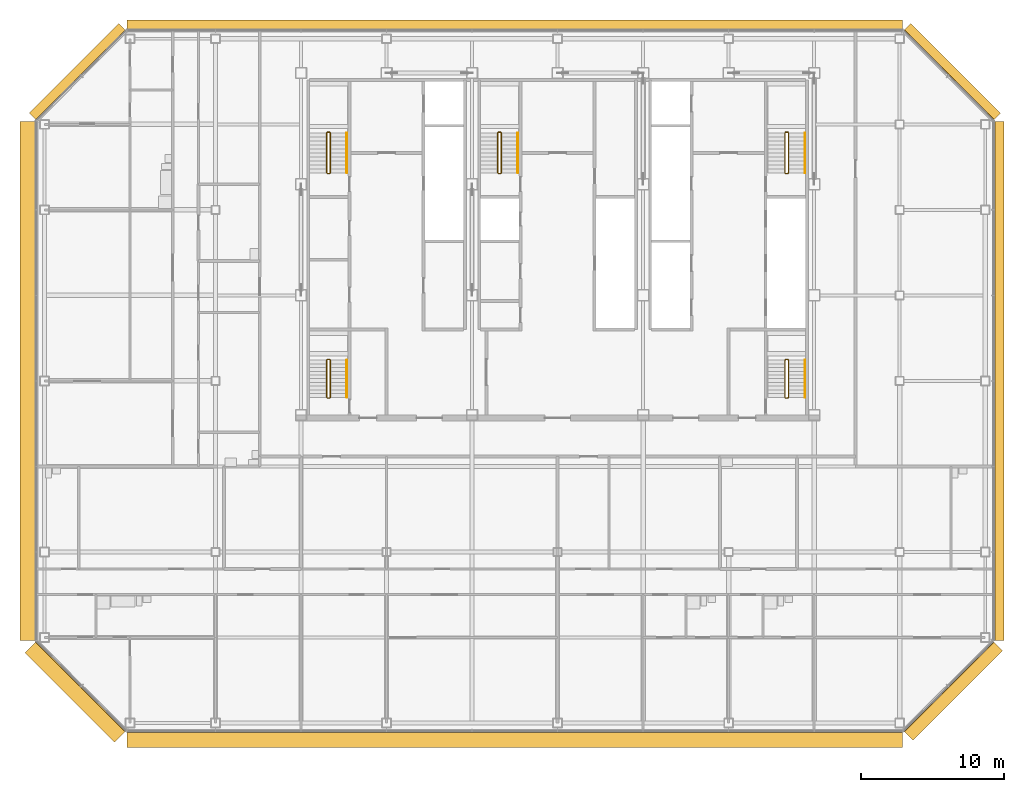
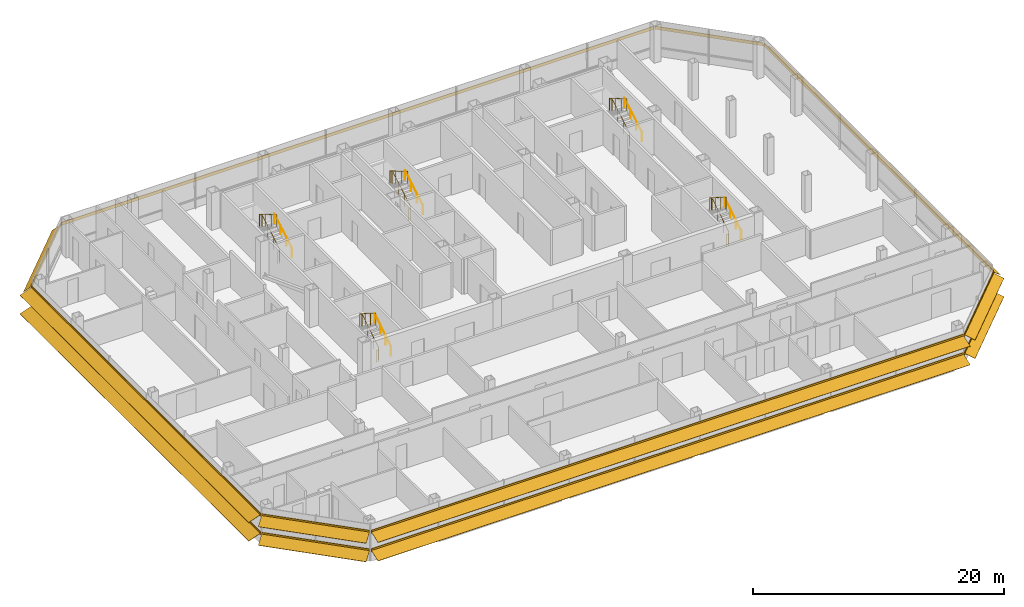
# One storey, part 25 of 26: 10 railings, 8 shading devices.
"""IFC4 building model written with IfcOpenShell, lengths in metres."""

from ifc_helpers import new_model, si_unit, direction, frame, origin, origin_2d, place, context, subcontext, project, spatial, polyline, circle, outline, composite_profile, extrude, material, type_object, element, save


model = new_model("IFC4")

# Units and contexts
model_context = context("Model", 3, precision=1e-05, world=origin(), true_north=direction((0.0, 1.0)))
body_context = subcontext(model_context, "Body", "Model", "MODEL_VIEW")
ifc_project = project(units=[si_unit("LENGTHUNIT", "METRE"), si_unit("AREAUNIT", "SQUARE_METRE"), si_unit("VOLUMEUNIT", "CUBIC_METRE"), si_unit("PLANEANGLEUNIT", "RADIAN"), si_unit("MASSUNIT", "GRAM", prefix="KILO")], contexts=[model_context])

# Site, building, storey
site_placement = place(None, origin())
site = spatial("IfcSite", under=ifc_project, at=site_placement, CompositionType="ELEMENT")
building_placement = place(site_placement, origin())
building = spatial("IfcBuilding", under=site, at=building_placement, Name="Sorahane Residences", CompositionType="ELEMENT")
storey_placement = place(building_placement, frame((0.0, 0.0, 243.199951171875)))
storey = spatial("IfcBuildingStorey", under=building, at=storey_placement, Name="L57", CompositionType="ELEMENT", Elevation=243.199951171875)

# Shading devices
ifc_material_1 = material(Name="Terracotta anodised aluminium", Category="masonry")
shading_device_type_1 = type_object("IfcShadingDeviceType", Name="Louvre sunshade blade E terracotta aluminium 700", PredefinedType="JALOUSIE", material=ifc_material_1)
shading_device_1_placement = place(storey_placement, frame((54.60009765625, 5.801513671875, 2.699951171875), z_axis=(0.0, 1.0, 0.0), x_axis=(-1.0, 0.0, 0.0)))
element("IfcShadingDevice", 1, at=shading_device_1_placement, inside=storey, type_object=shading_device_type_1, Name="Louvre sunshade blade bank E L57 E1", PredefinedType="JALOUSIE", context=body_context, shape_type="SweptSolid", body=[
    extrude(outline(polyline([(-0.719970703125, -0.49365234375), (-0.719970703125, -0.523681640625), (-0.080078125, -0.05859375), (-0.080078125, -0.14990234375), (-0.02001953125, -0.14990234375), (-0.02001953125, -0.014892578125), (-0.02001953125, 0.014892578125), (-0.02001953125, 0.14990234375), (-0.080078125, 0.14990234375), (-0.080078125, -0.028564453125), (-0.719970703125, -0.49365234375)])), origin(), (0.0, 0.0, 1.0), 36.39697265625),
])
ifc_material_2 = material(Name="Terracotta anodised aluminium", Category="masonry")
shading_device_type_2 = type_object("IfcShadingDeviceType", Name="Louvre sunshade blade N terracotta aluminium 700", PredefinedType="JALOUSIE", material=ifc_material_2)
shading_device_2_placement = place(storey_placement, frame((48.198486328125, 48.60009765625, 2.699951171875), z_axis=(-1.0, 0.0, 0.0), x_axis=(0.0, -1.0, 0.0)))
element("IfcShadingDevice", 2, at=shading_device_2_placement, inside=storey, type_object=shading_device_type_2, Name="Louvre sunshade blade bank N L57 N1", PredefinedType="JALOUSIE", context=body_context, shape_type="SweptSolid", body=[
    extrude(outline(polyline([(-0.719970703125, -0.660888671875), (-0.719970703125, -0.69091796875), (-0.080078125, -0.072998046875), (-0.080078125, -0.14990234375), (-0.02001953125, -0.14990234375), (-0.02001953125, -0.014892578125), (-0.02001953125, 0.014892578125), (-0.02001953125, 0.14990234375), (-0.080078125, 0.14990234375), (-0.080078125, -0.04296875), (-0.719970703125, -0.660888671875)])), origin(), (0.0, 0.0, 1.0), 54.39697265625),
])
ifc_material_3 = material(Name="Terracotta anodised aluminium", Category="masonry")
shading_device_type_3 = type_object("IfcShadingDeviceType", Name="Louvre sunshade blade NE terracotta aluminium 700", PredefinedType="JALOUSIE", material=ifc_material_3)
shading_device_3_placement = place(storey_placement, frame((54.564697265625, 42.283935546875, 2.699951171875), z_axis=(-0.707106781187, 0.707106781187, 0.0), x_axis=(-0.707106781187, -0.707106781187, 0.0)))
element("IfcShadingDevice", 3, at=shading_device_3_placement, inside=storey, type_object=shading_device_type_3, Name="Louvre sunshade blade bank NE L57 NE1", PredefinedType="JALOUSIE", context=body_context, shape_type="SweptSolid", body=[
    extrude(outline(polyline([(-0.719970703125, -0.572509765625), (-0.719970703125, -0.602294921875), (-0.080078125, -0.065185546875), (-0.080078125, -0.14990234375), (-0.02001953125, -0.14990234375), (-0.02001953125, -0.014892578125), (-0.02001953125, 0.014892578125), (-0.02001953125, 0.14990234375), (-0.080078125, 0.14990234375), (-0.080078125, -0.035400390625), (-0.719970703125, -0.572509765625)])), origin(), (0.0, 0.0, 1.0), 8.88232421875),
])
ifc_material_4 = material(Name="Terracotta anodised aluminium", Category="masonry")
shading_device_type_4 = type_object("IfcShadingDeviceType", Name="Louvre sunshade blade NW terracotta aluminium 700", PredefinedType="JALOUSIE", material=ifc_material_4)
shading_device_4_placement = place(storey_placement, frame((-6.283935546875, 48.564697265625, 2.699951171875), z_axis=(-0.707106781187, -0.707106781187, 0.0), x_axis=(0.707106781187, -0.707106781187, 0.0)))
element("IfcShadingDevice", 4, at=shading_device_4_placement, inside=storey, type_object=shading_device_type_4, Name="Louvre sunshade blade bank NW L57 NW1", PredefinedType="JALOUSIE", context=body_context, shape_type="SweptSolid", body=[
    extrude(outline(polyline([(-0.719970703125, -0.660888671875), (-0.719970703125, -0.69091796875), (-0.080078125, -0.072998046875), (-0.080078125, -0.14990234375), (-0.02001953125, -0.14990234375), (-0.02001953125, -0.014892578125), (-0.02001953125, 0.014892578125), (-0.02001953125, 0.14990234375), (-0.080078125, 0.14990234375), (-0.080078125, -0.04296875), (-0.719970703125, -0.660888671875)])), origin(), (0.0, 0.0, 1.0), 8.88232421875),
])
ifc_material_5 = material(Name="Terracotta anodised aluminium", Category="masonry")
shading_device_type_5 = type_object("IfcShadingDeviceType", Name="Louvre sunshade blade S terracotta aluminium 1100", PredefinedType="JALOUSIE", material=ifc_material_5)
shading_device_5_placement = place(storey_placement, frame((-6.198486328125, -0.60009765625, 0.900146484375), z_axis=(1.0, 0.0, 0.0), x_axis=(0.0, 1.0, 0.0)))
element("IfcShadingDevice", 5, at=shading_device_5_placement, inside=storey, type_object=shading_device_type_5, Name="Louvre sunshade blade bank S L57 S1", PredefinedType="JALOUSIE", context=body_context, shape_type="SweptSolid", body=[
    extrude(composite_profile([outline(polyline([(-1.1201171875, -0.385498046875), (-1.1201171875, -0.415283203125), (-0.080078125, -0.036865234375), (-0.080078125, -0.14990234375), (-0.02001953125, -0.14990234375), (-0.02001953125, -0.014892578125), (-0.02001953125, 0.014892578125), (-0.02001953125, 0.14990234375), (-0.080078125, 0.14990234375), (-0.080078125, -0.0068359375), (-1.1201171875, -0.385498046875)])), outline(polyline([(-1.1201171875, 1.41455078125), (-1.1201171875, 1.384521484375), (-0.080078125, 1.76318359375), (-0.080078125, 1.64990234375), (-0.02001953125, 1.64990234375), (-0.02001953125, 1.784912109375), (-0.02001953125, 1.81494140625), (-0.02001953125, 1.949951171875), (-0.080078125, 1.949951171875), (-0.080078125, 1.793212890625), (-1.1201171875, 1.41455078125)]))]), origin(), (0.0, 0.0, 1.0), 54.39697265625),
])
ifc_material_6 = material(Name="Terracotta anodised aluminium", Category="masonry")
shading_device_type_6 = type_object("IfcShadingDeviceType", Name="Louvre sunshade blade SE terracotta aluminium 900", PredefinedType="JALOUSIE", material=ifc_material_6)
shading_device_6_placement = place(storey_placement, frame((48.283935546875, -0.564697265625, 0.900146484375), z_axis=(0.707106781187, 0.707106781187, 0.0), x_axis=(-0.707106781187, 0.707106781187, 0.0)))
element("IfcShadingDevice", 6, at=shading_device_6_placement, inside=storey, type_object=shading_device_type_6, Name="Louvre sunshade blade bank SE L57 SE1", PredefinedType="JALOUSIE", context=body_context, shape_type="SweptSolid", body=[
    extrude(composite_profile([outline(polyline([(-0.919921875, -0.3486328125), (-0.919921875, -0.378662109375), (-0.080078125, -0.039306640625), (-0.080078125, -0.14990234375), (-0.02001953125, -0.14990234375), (-0.02001953125, -0.014892578125), (-0.02001953125, 0.014892578125), (-0.02001953125, 0.14990234375), (-0.080078125, 0.14990234375), (-0.080078125, -0.00927734375), (-0.919921875, -0.3486328125)])), outline(polyline([(-0.919921875, 1.451416015625), (-0.919921875, 1.42138671875), (-0.080078125, 1.7607421875), (-0.080078125, 1.64990234375), (-0.02001953125, 1.64990234375), (-0.02001953125, 1.784912109375), (-0.02001953125, 1.81494140625), (-0.02001953125, 1.949951171875), (-0.080078125, 1.949951171875), (-0.080078125, 1.790771484375), (-0.919921875, 1.451416015625)]))]), origin(), (0.0, 0.0, 1.0), 8.88232421875),
])
ifc_material_7 = material(Name="Terracotta anodised aluminium", Category="masonry")
shading_device_type_7 = type_object("IfcShadingDeviceType", Name="Louvre sunshade blade SW terracotta aluminium 1100", PredefinedType="JALOUSIE", material=ifc_material_7)
shading_device_7_placement = place(storey_placement, frame((-12.564697265625, 5.716064453125, 0.900146484375), z_axis=(0.707106781187, -0.707106781187, 0.0), x_axis=(0.707106781187, 0.707106781187, 0.0)))
element("IfcShadingDevice", 7, at=shading_device_7_placement, inside=storey, type_object=shading_device_type_7, Name="Louvre sunshade blade bank SW L57 SW1", PredefinedType="JALOUSIE", context=body_context, shape_type="SweptSolid", body=[
    extrude(composite_profile([outline(polyline([(-1.1201171875, -0.385498046875), (-1.1201171875, -0.415283203125), (-0.080078125, -0.036865234375), (-0.080078125, -0.14990234375), (-0.02001953125, -0.14990234375), (-0.02001953125, -0.014892578125), (-0.02001953125, 0.014892578125), (-0.02001953125, 0.14990234375), (-0.080078125, 0.14990234375), (-0.080078125, -0.0068359375), (-1.1201171875, -0.385498046875)])), outline(polyline([(-1.1201171875, 1.41455078125), (-1.1201171875, 1.384521484375), (-0.080078125, 1.76318359375), (-0.080078125, 1.64990234375), (-0.02001953125, 1.64990234375), (-0.02001953125, 1.784912109375), (-0.02001953125, 1.81494140625), (-0.02001953125, 1.949951171875), (-0.080078125, 1.949951171875), (-0.080078125, 1.793212890625), (-1.1201171875, 1.41455078125)]))]), origin(), (0.0, 0.0, 1.0), 8.88232421875),
])
ifc_material_8 = material(Name="Terracotta anodised aluminium", Category="masonry")
shading_device_type_8 = type_object("IfcShadingDeviceType", Name="Louvre sunshade blade W terracotta aluminium 1100", PredefinedType="JALOUSIE", material=ifc_material_8)
shading_device_8_placement = place(storey_placement, frame((-12.60009765625, 42.198486328125, 0.900146484375), z_axis=(0.0, -1.0, 0.0), x_axis=(1.0, 0.0, 0.0)))
element("IfcShadingDevice", 8, at=shading_device_8_placement, inside=storey, type_object=shading_device_type_8, Name="Louvre sunshade blade bank W L57 W1", PredefinedType="JALOUSIE", context=body_context, shape_type="SweptSolid", body=[
    extrude(composite_profile([outline(polyline([(-1.1201171875, -0.385498046875), (-1.1201171875, -0.415283203125), (-0.080078125, -0.036865234375), (-0.080078125, -0.14990234375), (-0.02001953125, -0.14990234375), (-0.02001953125, -0.014892578125), (-0.02001953125, 0.014892578125), (-0.02001953125, 0.14990234375), (-0.080078125, 0.14990234375), (-0.080078125, -0.0068359375), (-1.1201171875, -0.385498046875)])), outline(polyline([(-1.1201171875, 1.41455078125), (-1.1201171875, 1.384521484375), (-0.080078125, 1.76318359375), (-0.080078125, 1.64990234375), (-0.02001953125, 1.64990234375), (-0.02001953125, 1.784912109375), (-0.02001953125, 1.81494140625), (-0.02001953125, 1.949951171875), (-0.080078125, 1.949951171875), (-0.080078125, 1.793212890625), (-1.1201171875, 1.41455078125)]))]), origin(), (0.0, 0.0, 1.0), 36.39697265625),
])

# Railings
ifc_material_9 = material(Name="Steel Q355B", Category="steel")
railing_type_1 = type_object("IfcRailingType", Name="Stair guard 1200 Steel Q355B", PredefinedType="GUARDRAIL", material=ifc_material_9)
railing_1_placement = place(storey_placement, frame((7.85009765625, 38.550048828125, 0.0)))
element("IfcRailing", 9, at=railing_1_placement, inside=storey, type_object=railing_type_1, Name="L57 S1 stair guard 1", PredefinedType="GUARDRAIL", context=body_context, shape_type="SweptSolid", body=[
    extrude(circle(Radius=0.02392578125, at=origin_2d()), frame((0.0, 0.0, 1.17578125), z_axis=(1.0, 0.0, 0.0), x_axis=(0.0, 1.0, 0.0)), (0.0, 0.0, 1.0), 0.14990234375),
    extrude(circle(Radius=0.02392578125, at=origin_2d()), frame((0.14990234375, 0.0, 1.17578125), z_axis=(0.280808744504, 0.280808744504, 0.917765164963), x_axis=(-0.707106781187, 0.707106781187, 0.0)), (0.0, 0.0, 1.0), 0.17822265625),
    extrude(circle(Radius=0.02392578125, at=origin_2d()), frame((0.199951171875, 0.050048828125, 1.33935546875), z_axis=(0.0, 0.863341702679, 0.504619762213), x_axis=(-1.0, 0.0, 0.0)), (0.0, 0.0, 1.0), 3.242919921875),
    extrude(circle(Radius=0.02392578125, at=origin_2d()), frame((0.199951171875, 2.849853515625, 2.97607421875), z_axis=(-0.707106781187, 0.707106781187, 0.0), x_axis=(-0.707106781187, -0.707106781187, 0.0)), (0.0, 0.0, 1.0), 0.07080078125),
    extrude(circle(Radius=0.02392578125, at=origin_2d()), frame((0.14990234375, 2.89990234375, 2.97607421875), z_axis=(-1.0, 0.0, 0.0), x_axis=(0.0, -1.0, 0.0)), (0.0, 0.0, 1.0), 0.14990234375),
    extrude(circle(Radius=0.02392578125, at=origin_2d()), frame((0.0, 2.89990234375, 2.97607421875), z_axis=(-0.280808744504, -0.280808744504, 0.917765164963), x_axis=(0.707106781187, -0.707106781187, 0.0)), (0.0, 0.0, 1.0), 0.17822265625),
    extrude(circle(Radius=0.02392578125, at=origin_2d()), frame((-0.050048828125, 2.849853515625, 3.1396484375), z_axis=(0.0, -0.863341702679, 0.504619762213), x_axis=(1.0, 0.0, 0.0)), (0.0, 0.0, 1.0), 3.242919921875),
    extrude(circle(Radius=0.02099609375, at=origin_2d()), origin(), (0.0, 0.0, 1.0), 1.15185546875),
    extrude(circle(Radius=0.02099609375, at=origin_2d()), frame((0.14990234375, 0.0, 0.0)), (0.0, 0.0, 1.0), 1.15185546875),
    extrude(circle(Radius=0.02099609375, at=origin_2d()), frame((0.199951171875, 0.050048828125, 0.16357421875)), (0.0, 0.0, 1.0), 1.15185546875),
    extrude(circle(Radius=0.02099609375, at=origin_2d()), frame((0.199951171875, 0.9833984375, 0.708984375)), (0.0, 0.0, 1.0), 1.15185546875),
    extrude(circle(Radius=0.02099609375, at=origin_2d()), frame((0.199951171875, 1.91650390625, 1.254638671875)), (0.0, 0.0, 1.0), 1.15185546875),
    extrude(circle(Radius=0.02099609375, at=origin_2d()), frame((0.199951171875, 2.849853515625, 1.800048828125)), (0.0, 0.0, 1.0), 1.15185546875),
    extrude(circle(Radius=0.02099609375, at=origin_2d()), frame((0.14990234375, 2.89990234375, 1.800048828125)), (0.0, 0.0, 1.0), 1.15185546875),
    extrude(circle(Radius=0.02099609375, at=origin_2d()), frame((0.0, 2.89990234375, 1.800048828125)), (0.0, 0.0, 1.0), 1.15185546875),
    extrude(circle(Radius=0.02099609375, at=origin_2d()), frame((-0.050048828125, 2.849853515625, 1.963623046875)), (0.0, 0.0, 1.0), 1.15185546875),
    extrude(circle(Radius=0.02099609375, at=origin_2d()), frame((-0.050048828125, 1.91650390625, 2.509033203125)), (0.0, 0.0, 1.0), 1.15185546875),
    extrude(circle(Radius=0.02099609375, at=origin_2d()), frame((-0.050048828125, 0.9833984375, 3.0546875)), (0.0, 0.0, 1.0), 1.15185546875),
    extrude(circle(Radius=0.02099609375, at=origin_2d()), frame((-0.050048828125, 0.050048828125, 3.60009765625)), (0.0, 0.0, 1.0), 1.15185546875),
])
railing_2_placement = place(storey_placement, frame((40.0, 38.550048828125, 0.0)))
element("IfcRailing", 10, at=railing_2_placement, inside=storey, type_object=railing_type_1, Name="L57 S2 stair guard 1", PredefinedType="GUARDRAIL", context=body_context, shape_type="SweptSolid", body=[
    extrude(circle(Radius=0.02392578125, at=origin_2d()), frame((0.0, 0.0, 1.17578125), z_axis=(1.0, 0.0, 0.0), x_axis=(0.0, 1.0, 0.0)), (0.0, 0.0, 1.0), 0.14990234375),
    extrude(circle(Radius=0.02392578125, at=origin_2d()), frame((0.14990234375, 0.0, 1.17578125), z_axis=(0.280808744504, 0.280808744504, 0.917765164963), x_axis=(-0.707106781187, 0.707106781187, 0.0)), (0.0, 0.0, 1.0), 0.17822265625),
    extrude(circle(Radius=0.02392578125, at=origin_2d()), frame((0.199951171875, 0.050048828125, 1.33935546875), z_axis=(0.0, 0.863341702679, 0.504619762213), x_axis=(-1.0, 0.0, 0.0)), (0.0, 0.0, 1.0), 3.242919921875),
    extrude(circle(Radius=0.02392578125, at=origin_2d()), frame((0.199951171875, 2.849853515625, 2.97607421875), z_axis=(-0.707106781187, 0.707106781187, 0.0), x_axis=(-0.707106781187, -0.707106781187, 0.0)), (0.0, 0.0, 1.0), 0.07080078125),
    extrude(circle(Radius=0.02392578125, at=origin_2d()), frame((0.14990234375, 2.89990234375, 2.97607421875), z_axis=(-1.0, 0.0, 0.0), x_axis=(0.0, -1.0, 0.0)), (0.0, 0.0, 1.0), 0.14990234375),
    extrude(circle(Radius=0.02392578125, at=origin_2d()), frame((0.0, 2.89990234375, 2.97607421875), z_axis=(-0.280808744504, -0.280808744504, 0.917765164963), x_axis=(0.707106781187, -0.707106781187, 0.0)), (0.0, 0.0, 1.0), 0.17822265625),
    extrude(circle(Radius=0.02392578125, at=origin_2d()), frame((-0.050048828125, 2.849853515625, 3.1396484375), z_axis=(0.0, -0.863341702679, 0.504619762213), x_axis=(1.0, 0.0, 0.0)), (0.0, 0.0, 1.0), 3.242919921875),
    extrude(circle(Radius=0.02099609375, at=origin_2d()), origin(), (0.0, 0.0, 1.0), 1.15185546875),
    extrude(circle(Radius=0.02099609375, at=origin_2d()), frame((0.14990234375, 0.0, 0.0)), (0.0, 0.0, 1.0), 1.15185546875),
    extrude(circle(Radius=0.02099609375, at=origin_2d()), frame((0.199951171875, 0.050048828125, 0.16357421875)), (0.0, 0.0, 1.0), 1.15185546875),
    extrude(circle(Radius=0.02099609375, at=origin_2d()), frame((0.199951171875, 0.9833984375, 0.708984375)), (0.0, 0.0, 1.0), 1.15185546875),
    extrude(circle(Radius=0.02099609375, at=origin_2d()), frame((0.199951171875, 1.91650390625, 1.254638671875)), (0.0, 0.0, 1.0), 1.15185546875),
    extrude(circle(Radius=0.02099609375, at=origin_2d()), frame((0.199951171875, 2.849853515625, 1.800048828125)), (0.0, 0.0, 1.0), 1.15185546875),
    extrude(circle(Radius=0.02099609375, at=origin_2d()), frame((0.14990234375, 2.89990234375, 1.800048828125)), (0.0, 0.0, 1.0), 1.15185546875),
    extrude(circle(Radius=0.02099609375, at=origin_2d()), frame((0.0, 2.89990234375, 1.800048828125)), (0.0, 0.0, 1.0), 1.15185546875),
    extrude(circle(Radius=0.02099609375, at=origin_2d()), frame((-0.050048828125, 2.849853515625, 1.963623046875)), (0.0, 0.0, 1.0), 1.15185546875),
    extrude(circle(Radius=0.02099609375, at=origin_2d()), frame((-0.050048828125, 1.91650390625, 2.509033203125)), (0.0, 0.0, 1.0), 1.15185546875),
    extrude(circle(Radius=0.02099609375, at=origin_2d()), frame((-0.050048828125, 0.9833984375, 3.0546875)), (0.0, 0.0, 1.0), 1.15185546875),
    extrude(circle(Radius=0.02099609375, at=origin_2d()), frame((-0.050048828125, 0.050048828125, 3.60009765625)), (0.0, 0.0, 1.0), 1.15185546875),
])
railing_3_placement = place(storey_placement, frame((19.85009765625, 38.550048828125, 0.0)))
element("IfcRailing", 11, at=railing_3_placement, inside=storey, type_object=railing_type_1, Name="L57 S3 stair guard 1", PredefinedType="GUARDRAIL", context=body_context, shape_type="SweptSolid", body=[
    extrude(circle(Radius=0.02392578125, at=origin_2d()), frame((0.0, 0.0, 1.17578125), z_axis=(1.0, 0.0, 0.0), x_axis=(0.0, 1.0, 0.0)), (0.0, 0.0, 1.0), 0.14990234375),
    extrude(circle(Radius=0.02392578125, at=origin_2d()), frame((0.14990234375, 0.0, 1.17578125), z_axis=(0.280808744504, 0.280808744504, 0.917765164963), x_axis=(-0.707106781187, 0.707106781187, 0.0)), (0.0, 0.0, 1.0), 0.17822265625),
    extrude(circle(Radius=0.02392578125, at=origin_2d()), frame((0.199951171875, 0.050048828125, 1.33935546875), z_axis=(0.0, 0.863341702679, 0.504619762213), x_axis=(-1.0, 0.0, 0.0)), (0.0, 0.0, 1.0), 3.242919921875),
    extrude(circle(Radius=0.02392578125, at=origin_2d()), frame((0.199951171875, 2.849853515625, 2.97607421875), z_axis=(-0.707106781187, 0.707106781187, 0.0), x_axis=(-0.707106781187, -0.707106781187, 0.0)), (0.0, 0.0, 1.0), 0.07080078125),
    extrude(circle(Radius=0.02392578125, at=origin_2d()), frame((0.14990234375, 2.89990234375, 2.97607421875), z_axis=(-1.0, 0.0, 0.0), x_axis=(0.0, -1.0, 0.0)), (0.0, 0.0, 1.0), 0.14990234375),
    extrude(circle(Radius=0.02392578125, at=origin_2d()), frame((0.0, 2.89990234375, 2.97607421875), z_axis=(-0.280808744504, -0.280808744504, 0.917765164963), x_axis=(0.707106781187, -0.707106781187, 0.0)), (0.0, 0.0, 1.0), 0.17822265625),
    extrude(circle(Radius=0.02392578125, at=origin_2d()), frame((-0.050048828125, 2.849853515625, 3.1396484375), z_axis=(0.0, -0.863341702679, 0.504619762213), x_axis=(1.0, 0.0, 0.0)), (0.0, 0.0, 1.0), 3.242919921875),
    extrude(circle(Radius=0.02099609375, at=origin_2d()), origin(), (0.0, 0.0, 1.0), 1.15185546875),
    extrude(circle(Radius=0.02099609375, at=origin_2d()), frame((0.14990234375, 0.0, 0.0)), (0.0, 0.0, 1.0), 1.15185546875),
    extrude(circle(Radius=0.02099609375, at=origin_2d()), frame((0.199951171875, 0.050048828125, 0.16357421875)), (0.0, 0.0, 1.0), 1.15185546875),
    extrude(circle(Radius=0.02099609375, at=origin_2d()), frame((0.199951171875, 0.9833984375, 0.708984375)), (0.0, 0.0, 1.0), 1.15185546875),
    extrude(circle(Radius=0.02099609375, at=origin_2d()), frame((0.199951171875, 1.91650390625, 1.254638671875)), (0.0, 0.0, 1.0), 1.15185546875),
    extrude(circle(Radius=0.02099609375, at=origin_2d()), frame((0.199951171875, 2.849853515625, 1.800048828125)), (0.0, 0.0, 1.0), 1.15185546875),
    extrude(circle(Radius=0.02099609375, at=origin_2d()), frame((0.14990234375, 2.89990234375, 1.800048828125)), (0.0, 0.0, 1.0), 1.15185546875),
    extrude(circle(Radius=0.02099609375, at=origin_2d()), frame((0.0, 2.89990234375, 1.800048828125)), (0.0, 0.0, 1.0), 1.15185546875),
    extrude(circle(Radius=0.02099609375, at=origin_2d()), frame((-0.050048828125, 2.849853515625, 1.963623046875)), (0.0, 0.0, 1.0), 1.15185546875),
    extrude(circle(Radius=0.02099609375, at=origin_2d()), frame((-0.050048828125, 1.91650390625, 2.509033203125)), (0.0, 0.0, 1.0), 1.15185546875),
    extrude(circle(Radius=0.02099609375, at=origin_2d()), frame((-0.050048828125, 0.9833984375, 3.0546875)), (0.0, 0.0, 1.0), 1.15185546875),
    extrude(circle(Radius=0.02099609375, at=origin_2d()), frame((-0.050048828125, 0.050048828125, 3.60009765625)), (0.0, 0.0, 1.0), 1.15185546875),
])
railing_4_placement = place(storey_placement, frame((7.85009765625, 22.800048828125, 0.0)))
element("IfcRailing", 12, at=railing_4_placement, inside=storey, type_object=railing_type_1, Name="L57 S4 stair guard 1", PredefinedType="GUARDRAIL", context=body_context, shape_type="SweptSolid", body=[
    extrude(circle(Radius=0.02392578125, at=origin_2d()), frame((0.0, 0.0, 1.17578125), z_axis=(1.0, 0.0, 0.0), x_axis=(0.0, 1.0, 0.0)), (0.0, 0.0, 1.0), 0.14990234375),
    extrude(circle(Radius=0.02392578125, at=origin_2d()), frame((0.14990234375, 0.0, 1.17578125), z_axis=(0.280808744504, 0.280808744504, 0.917765164963), x_axis=(-0.707106781187, 0.707106781187, 0.0)), (0.0, 0.0, 1.0), 0.17822265625),
    extrude(circle(Radius=0.02392578125, at=origin_2d()), frame((0.199951171875, 0.050048828125, 1.33935546875), z_axis=(0.0, 0.846301844409, 0.532703658848), x_axis=(-1.0, 0.0, 0.0)), (0.0, 0.0, 1.0), 3.072021484375),
    extrude(circle(Radius=0.02392578125, at=origin_2d()), frame((0.199951171875, 2.64990234375, 2.97607421875), z_axis=(-0.707106781187, 0.707106781187, 0.0), x_axis=(-0.707106781187, -0.707106781187, 0.0)), (0.0, 0.0, 1.0), 0.07080078125),
    extrude(circle(Radius=0.02392578125, at=origin_2d()), frame((0.14990234375, 2.699951171875, 2.97607421875), z_axis=(-1.0, 0.0, 0.0), x_axis=(0.0, -1.0, 0.0)), (0.0, 0.0, 1.0), 0.14990234375),
    extrude(circle(Radius=0.02392578125, at=origin_2d()), frame((0.0, 2.699951171875, 2.97607421875), z_axis=(-0.280808744504, -0.280808744504, 0.917765164963), x_axis=(0.707106781187, -0.707106781187, 0.0)), (0.0, 0.0, 1.0), 0.17822265625),
    extrude(circle(Radius=0.02392578125, at=origin_2d()), frame((-0.050048828125, 2.64990234375, 3.1396484375), z_axis=(0.0, -0.846301844409, 0.532703658848), x_axis=(1.0, 0.0, 0.0)), (0.0, 0.0, 1.0), 3.072021484375),
    extrude(circle(Radius=0.02099609375, at=origin_2d()), origin(), (0.0, 0.0, 1.0), 1.15185546875),
    extrude(circle(Radius=0.02099609375, at=origin_2d()), frame((0.14990234375, 0.0, 0.0)), (0.0, 0.0, 1.0), 1.15185546875),
    extrude(circle(Radius=0.02099609375, at=origin_2d()), frame((0.199951171875, 0.050048828125, 0.16357421875)), (0.0, 0.0, 1.0), 1.15185546875),
    extrude(circle(Radius=0.02099609375, at=origin_2d()), frame((0.199951171875, 0.916748046875, 0.708984375)), (0.0, 0.0, 1.0), 1.15185546875),
    extrude(circle(Radius=0.02099609375, at=origin_2d()), frame((0.199951171875, 1.783203125, 1.254638671875)), (0.0, 0.0, 1.0), 1.15185546875),
    extrude(circle(Radius=0.02099609375, at=origin_2d()), frame((0.199951171875, 2.64990234375, 1.800048828125)), (0.0, 0.0, 1.0), 1.15185546875),
    extrude(circle(Radius=0.02099609375, at=origin_2d()), frame((0.14990234375, 2.699951171875, 1.800048828125)), (0.0, 0.0, 1.0), 1.15185546875),
    extrude(circle(Radius=0.02099609375, at=origin_2d()), frame((0.0, 2.699951171875, 1.800048828125)), (0.0, 0.0, 1.0), 1.15185546875),
    extrude(circle(Radius=0.02099609375, at=origin_2d()), frame((-0.050048828125, 2.64990234375, 1.963623046875)), (0.0, 0.0, 1.0), 1.15185546875),
    extrude(circle(Radius=0.02099609375, at=origin_2d()), frame((-0.050048828125, 1.783203125, 2.509033203125)), (0.0, 0.0, 1.0), 1.15185546875),
    extrude(circle(Radius=0.02099609375, at=origin_2d()), frame((-0.050048828125, 0.916748046875, 3.0546875)), (0.0, 0.0, 1.0), 1.15185546875),
    extrude(circle(Radius=0.02099609375, at=origin_2d()), frame((-0.050048828125, 0.050048828125, 3.60009765625)), (0.0, 0.0, 1.0), 1.15185546875),
])
railing_5_placement = place(storey_placement, frame((40.0, 22.800048828125, 0.0)))
element("IfcRailing", 13, at=railing_5_placement, inside=storey, type_object=railing_type_1, Name="L57 S5 stair guard 1", PredefinedType="GUARDRAIL", context=body_context, shape_type="SweptSolid", body=[
    extrude(circle(Radius=0.02392578125, at=origin_2d()), frame((0.0, 0.0, 1.17578125), z_axis=(1.0, 0.0, 0.0), x_axis=(0.0, 1.0, 0.0)), (0.0, 0.0, 1.0), 0.14990234375),
    extrude(circle(Radius=0.02392578125, at=origin_2d()), frame((0.14990234375, 0.0, 1.17578125), z_axis=(0.280808744504, 0.280808744504, 0.917765164963), x_axis=(-0.707106781187, 0.707106781187, 0.0)), (0.0, 0.0, 1.0), 0.17822265625),
    extrude(circle(Radius=0.02392578125, at=origin_2d()), frame((0.199951171875, 0.050048828125, 1.33935546875), z_axis=(0.0, 0.846301844409, 0.532703658848), x_axis=(-1.0, 0.0, 0.0)), (0.0, 0.0, 1.0), 3.072021484375),
    extrude(circle(Radius=0.02392578125, at=origin_2d()), frame((0.199951171875, 2.64990234375, 2.97607421875), z_axis=(-0.707106781187, 0.707106781187, 0.0), x_axis=(-0.707106781187, -0.707106781187, 0.0)), (0.0, 0.0, 1.0), 0.07080078125),
    extrude(circle(Radius=0.02392578125, at=origin_2d()), frame((0.14990234375, 2.699951171875, 2.97607421875), z_axis=(-1.0, 0.0, 0.0), x_axis=(0.0, -1.0, 0.0)), (0.0, 0.0, 1.0), 0.14990234375),
    extrude(circle(Radius=0.02392578125, at=origin_2d()), frame((0.0, 2.699951171875, 2.97607421875), z_axis=(-0.280808744504, -0.280808744504, 0.917765164963), x_axis=(0.707106781187, -0.707106781187, 0.0)), (0.0, 0.0, 1.0), 0.17822265625),
    extrude(circle(Radius=0.02392578125, at=origin_2d()), frame((-0.050048828125, 2.64990234375, 3.1396484375), z_axis=(0.0, -0.846301844409, 0.532703658848), x_axis=(1.0, 0.0, 0.0)), (0.0, 0.0, 1.0), 3.072021484375),
    extrude(circle(Radius=0.02099609375, at=origin_2d()), origin(), (0.0, 0.0, 1.0), 1.15185546875),
    extrude(circle(Radius=0.02099609375, at=origin_2d()), frame((0.14990234375, 0.0, 0.0)), (0.0, 0.0, 1.0), 1.15185546875),
    extrude(circle(Radius=0.02099609375, at=origin_2d()), frame((0.199951171875, 0.050048828125, 0.16357421875)), (0.0, 0.0, 1.0), 1.15185546875),
    extrude(circle(Radius=0.02099609375, at=origin_2d()), frame((0.199951171875, 0.916748046875, 0.708984375)), (0.0, 0.0, 1.0), 1.15185546875),
    extrude(circle(Radius=0.02099609375, at=origin_2d()), frame((0.199951171875, 1.783203125, 1.254638671875)), (0.0, 0.0, 1.0), 1.15185546875),
    extrude(circle(Radius=0.02099609375, at=origin_2d()), frame((0.199951171875, 2.64990234375, 1.800048828125)), (0.0, 0.0, 1.0), 1.15185546875),
    extrude(circle(Radius=0.02099609375, at=origin_2d()), frame((0.14990234375, 2.699951171875, 1.800048828125)), (0.0, 0.0, 1.0), 1.15185546875),
    extrude(circle(Radius=0.02099609375, at=origin_2d()), frame((0.0, 2.699951171875, 1.800048828125)), (0.0, 0.0, 1.0), 1.15185546875),
    extrude(circle(Radius=0.02099609375, at=origin_2d()), frame((-0.050048828125, 2.64990234375, 1.963623046875)), (0.0, 0.0, 1.0), 1.15185546875),
    extrude(circle(Radius=0.02099609375, at=origin_2d()), frame((-0.050048828125, 1.783203125, 2.509033203125)), (0.0, 0.0, 1.0), 1.15185546875),
    extrude(circle(Radius=0.02099609375, at=origin_2d()), frame((-0.050048828125, 0.916748046875, 3.0546875)), (0.0, 0.0, 1.0), 1.15185546875),
    extrude(circle(Radius=0.02099609375, at=origin_2d()), frame((-0.050048828125, 0.050048828125, 3.60009765625)), (0.0, 0.0, 1.0), 1.15185546875),
])
ifc_material_10 = material(Name="Steel Q355B", Category="steel")
railing_type_2 = type_object("IfcRailingType", Name="Stair handrail 900 Steel Q355B", PredefinedType="HANDRAIL", material=ifc_material_10)
for number, where, name in (
    (14, (9.199951171875, 38.60009765625, 0.16357421875), "L57 S1 stair handrail 1"),
    (15, (41.35009765625, 38.60009765625, 0.16357421875), "L57 S2 stair handrail 1"),
    (16, (21.199951171875, 38.60009765625, 0.16357421875), "L57 S3 stair handrail 1"),
):
    element("IfcRailing", number, at=place(storey_placement, frame(where)), inside=storey, type_object=railing_type_2, Name=name, PredefinedType="HANDRAIL", context=body_context, shape_type="SweptSolid", body=[
        extrude(circle(Radius=0.02392578125, at=origin_2d()), frame((0.0, 0.0, 0.8759765625), z_axis=(0.0, 0.863341702679, 0.504619762213), x_axis=(-1.0, 0.0, 0.0)), (0.0, 0.0, 1.0), 3.242919921875),
        extrude(circle(Radius=0.02099609375, at=origin_2d()), origin(), (0.0, 0.0, 1.0), 0.851806640625),
        extrude(circle(Radius=0.02099609375, at=origin_2d()), frame((0.0, 0.933349609375, 0.54541015625)), (0.0, 0.0, 1.0), 0.851806640625),
        extrude(circle(Radius=0.02099609375, at=origin_2d()), frame((0.0, 1.866455078125, 1.091064453125)), (0.0, 0.0, 1.0), 0.851806640625),
        extrude(circle(Radius=0.02099609375, at=origin_2d()), frame((0.0, 2.7998046875, 1.636474609375)), (0.0, 0.0, 1.0), 0.851806640625),
    ])
for number, where, name in (
    (17, (9.199951171875, 22.85009765625, 0.16357421875), "L57 S4 stair handrail 1"),
    (18, (41.35009765625, 22.85009765625, 0.16357421875), "L57 S5 stair handrail 1"),
):
    element("IfcRailing", number, at=place(storey_placement, frame(where)), inside=storey, type_object=railing_type_2, Name=name, PredefinedType="HANDRAIL", context=body_context, shape_type="SweptSolid", body=[
        extrude(circle(Radius=0.02392578125, at=origin_2d()), frame((0.0, 0.0, 0.8759765625), z_axis=(0.0, 0.846301844409, 0.532703658848), x_axis=(-1.0, 0.0, 0.0)), (0.0, 0.0, 1.0), 3.072021484375),
        extrude(circle(Radius=0.02099609375, at=origin_2d()), origin(), (0.0, 0.0, 1.0), 0.851806640625),
        extrude(circle(Radius=0.02099609375, at=origin_2d()), frame((0.0, 0.86669921875, 0.54541015625)), (0.0, 0.0, 1.0), 0.851806640625),
        extrude(circle(Radius=0.02099609375, at=origin_2d()), frame((0.0, 1.733154296875, 1.091064453125)), (0.0, 0.0, 1.0), 0.851806640625),
        extrude(circle(Radius=0.02099609375, at=origin_2d()), frame((0.0, 2.599853515625, 1.636474609375)), (0.0, 0.0, 1.0), 0.851806640625),
    ])

save(model, "model.ifc")
